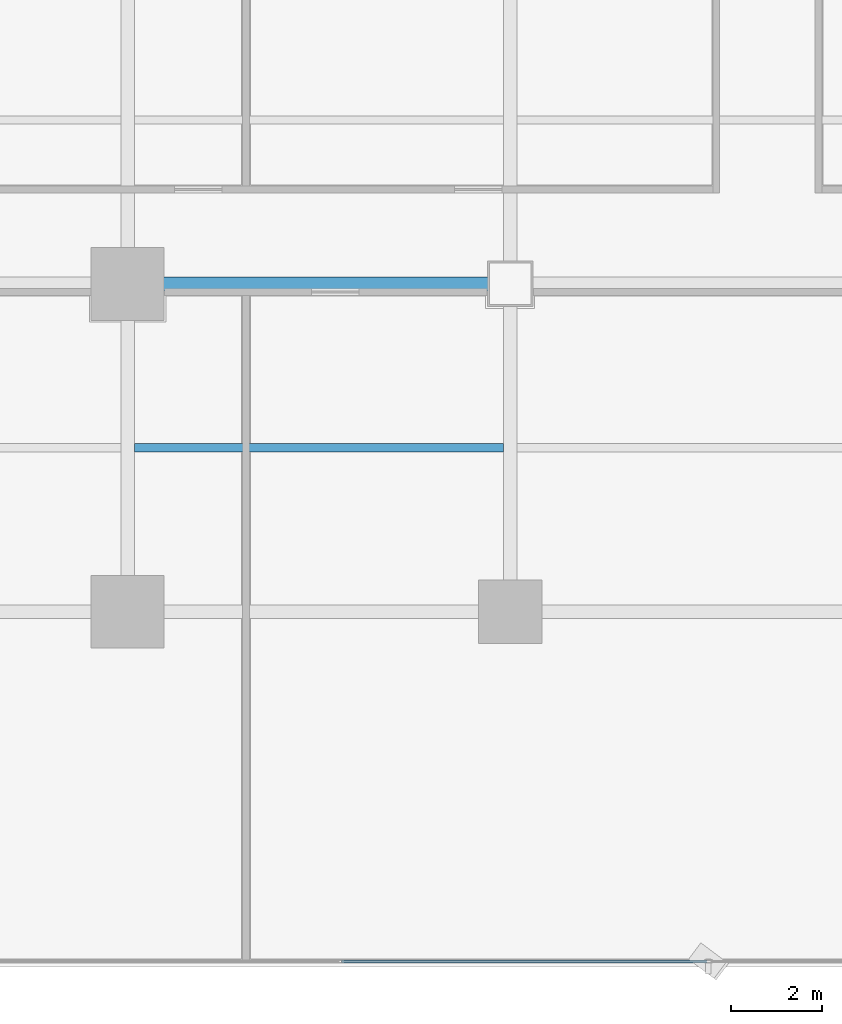
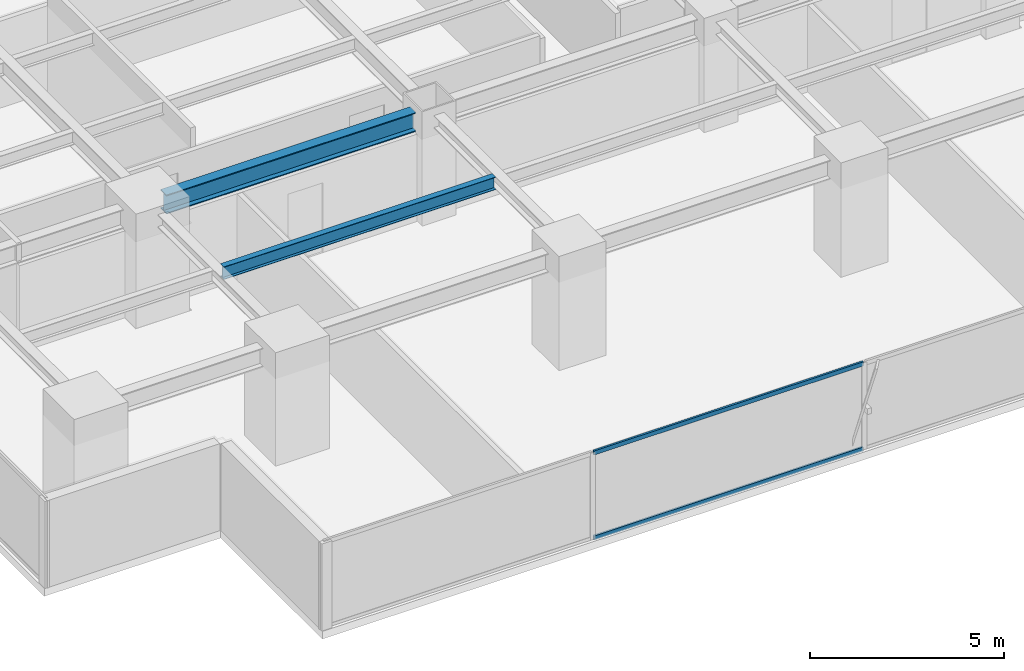
# One storey, part 5 of 37: 2 beams, 2 members, 1 element without a shape of its own.
"""IFC4 building model written with IfcOpenShell, lengths in metres."""

import ifcopenshell
import ifcopenshell.guid

model = None  # the IFC model being written
_history = None  # IfcOwnerHistory: only IFC2X3 demands one
_inside = {}  # id of a spatial element -> (the spatial element, [elements in it])
_under = {}  # id of a project, library or spatial element -> (it, [spatial elements below it])
_declared = {}  # id of a project -> (the project, [libraries it declares])
_typed = {}  # id of a type object -> (the type object, [elements of that type])
_made_of = {}  # id of a material, layer set ... -> (it, [elements and type objects made of it])


def new_model(schema):
    """Start an empty IFC model of exactly this schema.

    Asked for "IFC4X3", IfcOpenShell would pick the latest addendum, in which some entities
    have other attributes; the version numbers below select the first issue.
    IFC2X3 requires an IfcOwnerHistory on every rooted entity: one is made here for all.
    """
    global model, _history
    if schema == "IFC4X3":
        model = ifcopenshell.file(schema_version=(4, 3, 0, 0))
    else:
        model = ifcopenshell.file(schema=schema)
    _inside.clear()
    _under.clear()
    _declared.clear()
    _typed.clear()
    _made_of.clear()
    _history = None
    if model.schema == "IFC2X3":
        org = make("IfcOrganization", Name="unknown")
        user = make(
            "IfcPersonAndOrganization",
            ThePerson=make("IfcPerson", FamilyName="unknown"),
            TheOrganization=org,
        )
        app = make(
            "IfcApplication",
            ApplicationDeveloper=org,
            Version="unknown",
            ApplicationFullName="unknown",
            ApplicationIdentifier="unknown",
        )
        _history = make(
            "IfcOwnerHistory",
            OwningUser=user,
            OwningApplication=app,
            ChangeAction="ADDED",
            CreationDate=0,
        )
    return model


def make(cls, **values):
    """One entity of the class cls with the attributes given. An attribute that is None is left unset."""
    return model.create_entity(
        cls, **{name: value for name, value in values.items() if value is not None}
    )


def rooted(cls, **values):
    """An entity with a GlobalId (a new one), such as an element, a storey or a relation."""
    return make(cls, GlobalId=ifcopenshell.guid.new(), OwnerHistory=_history, **values)


def si_unit(unit_type, name, prefix=None):
    """IfcSIUnit, for example si_unit("LENGTHUNIT", "METRE", prefix="MILLI")."""
    return make("IfcSIUnit", UnitType=unit_type, Prefix=prefix, Name=name)


def assignment(units):
    """IfcUnitAssignment: the units of a project."""
    return None if units is None else make("IfcUnitAssignment", Units=units)


def point(xyz):
    """IfcCartesianPoint."""
    return None if xyz is None else make("IfcCartesianPoint", Coordinates=xyz)


def direction(xyz):
    """IfcDirection."""
    return None if xyz is None else make("IfcDirection", DirectionRatios=xyz)


def frame(location, z_axis=None, x_axis=None):
    """IfcAxis2Placement3D, a coordinate frame: its origin and axes. An axis left out is left unset."""
    return make(
        "IfcAxis2Placement3D",
        Location=point(location),
        Axis=direction(z_axis),
        RefDirection=direction(x_axis),
    )


def frame_2d(location, x_axis=None):
    """IfcAxis2Placement2D, a coordinate frame in the plane: its origin and x axis."""
    return make(
        "IfcAxis2Placement2D", Location=point(location), RefDirection=direction(x_axis)
    )


def origin():
    """The frame at (0, 0, 0) with its axes left unset."""
    return frame((0.0, 0.0, 0.0))


def origin_2d():
    """The frame at (0, 0) in the plane with its x axis left unset."""
    return frame_2d((0.0, 0.0))


def place(relative_to, where):
    """IfcLocalPlacement: puts the frame where relative to a parent placement (None: the world)."""
    return make(
        "IfcLocalPlacement", PlacementRelTo=relative_to, RelativePlacement=where
    )


def context(
    kind, dimensions, precision=None, world=None, true_north=None, identifier=None
):
    """IfcGeometricRepresentationContext, for example the 3D "Model" context."""
    return make(
        "IfcGeometricRepresentationContext",
        ContextIdentifier=identifier,
        ContextType=kind,
        CoordinateSpaceDimension=dimensions,
        Precision=precision,
        WorldCoordinateSystem=world,
        TrueNorth=true_north,
    )


def subcontext(parent, identifier, kind, view, scale=None):
    """IfcGeometricRepresentationSubContext, for example "Body" below "Model"."""
    return make(
        "IfcGeometricRepresentationSubContext",
        ContextIdentifier=identifier,
        ContextType=kind,
        ParentContext=parent,
        TargetScale=scale,
        TargetView=view,
    )


def project(units=None, contexts=None):
    """IfcProject with its units and contexts."""
    return rooted(
        "IfcProject",
        Name="project",
        RepresentationContexts=contexts,
        UnitsInContext=assignment(units),
    )


def spatial(cls, under=None, at=None, **own):
    """A site, building, storey or space (cls), placed at a placement, below another one or the project."""
    s = rooted(cls, ObjectPlacement=at, **own)
    if under is not None:
        _under.setdefault(under.id(), (under, []))[1].append(s)
    return s


def profile(cls, at=None, kind="AREA", **sizes):
    """A parametric profile (cls). Its sizes go by their IFC names, for example OverallWidth=200.0."""
    return make(cls, ProfileType=kind, Position=at, **sizes)


def hollow_rectangle(**sizes):
    """IfcRectangleHollowProfileDef."""
    return profile("IfcRectangleHollowProfileDef", **sizes)


def i_section(**sizes):
    """IfcIShapeProfileDef."""
    return profile("IfcIShapeProfileDef", **sizes)


def extrude(swept, where, along, depth):
    """IfcExtrudedAreaSolid: the profile swept, set in the frame where, extruded along a direction by depth."""
    return make(
        "IfcExtrudedAreaSolid",
        SweptArea=swept,
        Position=where,
        ExtrudedDirection=direction(along),
        Depth=depth,
    )


def shape(context_of_items, identifier, shape_type, items):
    """IfcShapeRepresentation: the items that make up one representation, for example the "Body"."""
    return make(
        "IfcShapeRepresentation",
        ContextOfItems=context_of_items,
        RepresentationIdentifier=identifier,
        RepresentationType=shape_type,
        Items=items,
    )


def source(mapping_origin, context_of_items, identifier, shape_type, items):
    """IfcRepresentationMap: a shape defined once, which mapped items show again and again."""
    return make(
        "IfcRepresentationMap",
        MappingOrigin=mapping_origin,
        MappedRepresentation=shape(context_of_items, identifier, shape_type, items),
    )


def transform(
    local_origin,
    x_axis=None,
    y_axis=None,
    z_axis=None,
    scale=None,
    scale2=None,
    scale3=None,
    uniform=True,
):
    """IfcCartesianTransformationOperator3D, or its non-uniform kind. x_axis, y_axis, z_axis: its Axis1, 2, 3."""
    if uniform:
        return make(
            "IfcCartesianTransformationOperator3D",
            Axis1=direction(x_axis),
            Axis2=direction(y_axis),
            LocalOrigin=point(local_origin),
            Scale=scale,
            Axis3=direction(z_axis),
        )
    return make(
        "IfcCartesianTransformationOperator3DnonUniform",
        Axis1=direction(x_axis),
        Axis2=direction(y_axis),
        LocalOrigin=point(local_origin),
        Scale=scale,
        Axis3=direction(z_axis),
        Scale2=scale2,
        Scale3=scale3,
    )


def mapped(mapping_source, mapping_target):
    """IfcMappedItem: shows the shape of a source again, moved by a transform."""
    return make(
        "IfcMappedItem", MappingSource=mapping_source, MappingTarget=mapping_target
    )


def material(Name=None, Category=None):
    """IfcMaterial."""
    return make("IfcMaterial", Name=Name, Category=Category)


def layer(
    of_material, thickness, ventilated=None, Name=None, Category=None, Priority=None
):
    """IfcMaterialLayer: one layer of a wall or slab, of a material (None: an air gap)."""
    return make(
        "IfcMaterialLayer",
        Material=of_material,
        LayerThickness=thickness,
        IsVentilated=ventilated,
        Name=Name,
        Category=Category,
        Priority=Priority,
    )


def layer_set(layers, Name=None):
    """IfcMaterialLayerSet."""
    return make("IfcMaterialLayerSet", MaterialLayers=layers, LayerSetName=Name)


def material_profile(
    of_material, cross_section, Name=None, Category=None, Priority=None
):
    """IfcMaterialProfile: a cross section and its material."""
    return make(
        "IfcMaterialProfile",
        Name=Name,
        Material=of_material,
        Profile=cross_section,
        Priority=Priority,
        Category=Category,
    )


def profile_set(profiles, Name=None, composite=None):
    """IfcMaterialProfileSet."""
    return make(
        "IfcMaterialProfileSet",
        Name=Name,
        MaterialProfiles=profiles,
        CompositeProfile=composite,
    )


def made_of(thing, what):
    """Note that an element or type object is made of a material, layer set ...; save() writes the relation."""
    if what is not None:
        _made_of.setdefault(what.id(), (what, []))[1].append(thing)
    return thing


def type_object(cls, material=None, **own):
    """A type object (cls), such as IfcWallType, which elements share."""
    return made_of(rooted(cls, **own), material)


def element(
    cls,
    number,
    at=None,
    inside=None,
    cuts=None,
    type_object=None,
    material=None,
    context=None,
    identifier="Body",
    shape_type=None,
    held_by="IfcProductDefinitionShape",
    body=None,
    shapes=None,
    **own,
):
    """One element of the class cls, such as IfcWall. Its Tag is "e" and its number.

    at: its placement. inside: the storey or other place that contains it. cuts: it is an
    opening in that element (IfcRelVoidsElement). A single representation is given by context,
    identifier, shape_type and body (its items); several are given by shapes. held_by: the class
    of the entity that holds the representations. save() writes the other relations.
    """
    e = rooted(cls, Tag="e%d" % number, ObjectPlacement=at, **own)
    if body is not None:
        shapes = [shape(context, identifier, shape_type, body)]
    if shapes is not None:
        e.Representation = make(held_by, Representations=shapes)
    if inside is not None:
        _inside.setdefault(inside.id(), (inside, []))[1].append(e)
    if cuts is not None:
        rooted(
            "IfcRelVoidsElement", RelatingBuildingElement=cuts, RelatedOpeningElement=e
        )
    if type_object is not None:
        _typed.setdefault(type_object.id(), (type_object, []))[1].append(e)
    return made_of(e, material)


def aggregate(whole, parts):
    """IfcRelAggregates: a whole, such as a stair, and the parts it consists of."""
    return rooted("IfcRelAggregates", RelatingObject=whole, RelatedObjects=parts)


def save(model, path):
    """Write the relations noted so far, then the file.

    IfcRelAggregates (storeys below a building ...), IfcRelContainedInSpatialStructure (elements
    in a storey), IfcRelDefinesByType, IfcRelAssociatesMaterial and IfcRelDeclares: one each for
    every whole, place, type object, material and project.
    """
    for whole, parts in _under.values():
        aggregate(whole, parts)
    for where, things in _inside.values():
        rooted(
            "IfcRelContainedInSpatialStructure",
            RelatedElements=things,
            RelatingStructure=where,
        )
    for kind, things in _typed.values():
        rooted("IfcRelDefinesByType", RelatedObjects=things, RelatingType=kind)
    for what, things in _made_of.values():
        rooted("IfcRelAssociatesMaterial", RelatedObjects=things, RelatingMaterial=what)
    for by, libraries in _declared.values():
        rooted("IfcRelDeclares", RelatingContext=by, RelatedDefinitions=libraries)
    model.write(path)


model = new_model("IFC4")

# Units and contexts
model_context = context("Model", 3, precision=1e-05, world=origin(), true_north=direction((0.0, 1.0)))
body_context = subcontext(model_context, "Body", "Model", "MODEL_VIEW")
ifc_project = project(units=[si_unit("LENGTHUNIT", "METRE"), si_unit("AREAUNIT", "SQUARE_METRE"), si_unit("VOLUMEUNIT", "CUBIC_METRE"), si_unit("PLANEANGLEUNIT", "RADIAN"), si_unit("MASSUNIT", "GRAM", prefix="KILO")], contexts=[model_context])

# Site, building, storey
site_placement = place(None, origin())
site = spatial("IfcSite", under=ifc_project, at=site_placement, CompositionType="ELEMENT")
building_placement = place(site_placement, origin())
building = spatial("IfcBuilding", under=site, at=building_placement, Name="Sumidabori Civic Tower", CompositionType="ELEMENT")
storey_placement = place(building_placement, frame((0.0, 0.0, 95.60009765625)))
storey = spatial("IfcBuildingStorey", under=building, at=storey_placement, Name="L24", CompositionType="ELEMENT", Elevation=95.60009765625)

# Beams
ifc_material_1 = material(Name="Steel SN490", Category="steel")
ifc_material_profile_1 = material_profile(ifc_material_1, i_section(OverallWidth=0.300048828125, OverallDepth=0.60009765625, WebThickness=0.015380859375, FlangeThickness=0.030029296875, at=origin_2d()), Name="HE 600 B")
ifc_profile_set_1 = profile_set([ifc_material_profile_1], Name="Steel SN490")
beam_type_1 = type_object("IfcBeamType", Name="BM-GIRD-600", PredefinedType="BEAM", material=ifc_profile_set_1)
shared_shape_1 = source(origin(), body_context, "Body", "SweptSolid", [
    extrude(i_section(OverallWidth=0.300048828125, OverallDepth=0.60009765625, WebThickness=0.015380859375, FlangeThickness=0.030029296875, at=origin_2d()), origin(), (0.0, 0.0, 1.0), 7.440185546875),
])
beam_1_placement = place(storey_placement, frame((-16.320068359375, -10.800048828125, 3.059814453125), z_axis=(1.0, 0.0, 0.0), x_axis=(0.0, 1.0, 0.0)))
element("IfcBeam", 1, at=beam_1_placement, inside=storey, type_object=beam_type_1, Name="Primary Girder L24 GX-08", PredefinedType="BEAM", context=body_context, shape_type="MappedRepresentation", body=[
    mapped(shared_shape_1, transform((0.0, 0.0, 0.0), x_axis=(1.0, 0.0, 0.0), y_axis=(0.0, 1.0, 0.0), z_axis=(0.0, 0.0, 1.0), scale=1.0)),
])
ifc_material_profile_2 = material_profile(ifc_material_1, i_section(OverallWidth=0.179931640625, OverallDepth=0.39990234375, WebThickness=0.008544921875, FlangeThickness=0.013427734375, at=origin_2d()), Name="IPE 400")
ifc_profile_set_2 = profile_set([ifc_material_profile_2], Name="Steel SN490")
beam_type_2 = type_object("IfcBeamType", Name="BM-JST-400", PredefinedType="JOIST", material=ifc_profile_set_2)
shared_shape_2 = source(origin(), body_context, "Body", "SweptSolid", [
    extrude(i_section(OverallWidth=0.179931640625, OverallDepth=0.39990234375, WebThickness=0.008544921875, FlangeThickness=0.013427734375, at=origin_2d()), origin(), (0.0, 0.0, 1.0), 8.099853515625),
])
beam_2_placement = place(storey_placement, frame((-16.64990234375, -14.39990234375, 3.159912109375), z_axis=(1.0, 0.0, 0.0), x_axis=(0.0, 1.0, 0.0)))
element("IfcBeam", 2, at=beam_2_placement, inside=storey, type_object=beam_type_2, Name="South Bay Floor Joist L24 JSTS-55", PredefinedType="JOIST", context=body_context, shape_type="MappedRepresentation", body=[
    mapped(shared_shape_2, transform((0.0, 0.0, 0.0), x_axis=(1.0, 0.0, 0.0), y_axis=(0.0, 1.0, 0.0), z_axis=(0.0, 0.0, 1.0), scale=1.0)),
])

# Curtain wall, members
ifc_material_2 = material(Name="Anodised Bronze Aluminium AW-6063-T6", Category="aluminium")
ifc_layer = layer(ifc_material_2, 0.179931640625, Name="Anodised Bronze Aluminium AW-6063-T6")
ifc_layer_set = layer_set([ifc_layer], Name="Anodised Bronze Aluminium AW-6063-T6")
curtain_wall_type = type_object("IfcCurtainWallType", Name="CW-SYS-3", PredefinedType="NOTDEFINED", material=ifc_layer_set)
curtain_wall_placement = place(storey_placement, origin())
curtain_wall = element("IfcCurtainWall", 3, at=curtain_wall_placement, inside=storey, type_object=curtain_wall_type, Name="Curtain Wall CW:L24:R01", PredefinedType="NOTDEFINED")
ifc_material_profile_3 = material_profile(ifc_material_2, hollow_rectangle(XDim=0.06005859375, YDim=0.1298828125, WallThickness=0.0048828125, at=origin_2d()), Name="ALU TRANSOM 130x60")
ifc_profile_set_3 = profile_set([ifc_material_profile_3], Name="Anodised Bronze Aluminium AW-6063-T6")
member_type = type_object("IfcMemberType", Name="CW-TRN-130", PredefinedType="USERDEFINED", material=ifc_profile_set_3)
shared_shape_3 = source(origin(), body_context, "Body", "SweptSolid", [
    extrude(hollow_rectangle(XDim=0.06005859375, YDim=0.1298828125, WallThickness=0.0048828125, at=origin_2d()), origin(), (0.0, 0.0, 1.0), 8.023193359375),
])
member_1_placement = place(storey_placement, frame((-12.099609375, -25.679931640625, 0.02978515625), z_axis=(1.0, 0.0, 0.0), x_axis=(0.0, 1.0, 0.0)))
member_1 = element("IfcMember", 4, at=member_1_placement, type_object=member_type, Name="CW-3 transom 2.1", ObjectType="TRANSOM", PredefinedType="USERDEFINED", context=body_context, shape_type="MappedRepresentation", body=[
    mapped(shared_shape_3, transform((0.0, 0.0, 0.0), x_axis=(1.0, 0.0, 0.0), y_axis=(0.0, 1.0, 0.0), z_axis=(0.0, 0.0, 1.0), scale=1.0)),
])
member_2_placement = place(storey_placement, frame((-12.099609375, -25.679931640625, 2.7099609375), z_axis=(1.0, 0.0, 0.0), x_axis=(0.0, 1.0, 0.0)))
member_2 = element("IfcMember", 5, at=member_2_placement, type_object=member_type, Name="CW-3 transom 2.2", ObjectType="TRANSOM", PredefinedType="USERDEFINED", context=body_context, shape_type="MappedRepresentation", body=[
    mapped(shared_shape_3, transform((0.0, 0.0, 0.0), x_axis=(1.0, 0.0, 0.0), y_axis=(0.0, 1.0, 0.0), z_axis=(0.0, 0.0, 1.0), scale=1.0)),
])
aggregate(curtain_wall, [member_1, member_2])

save(model, "model.ifc")
